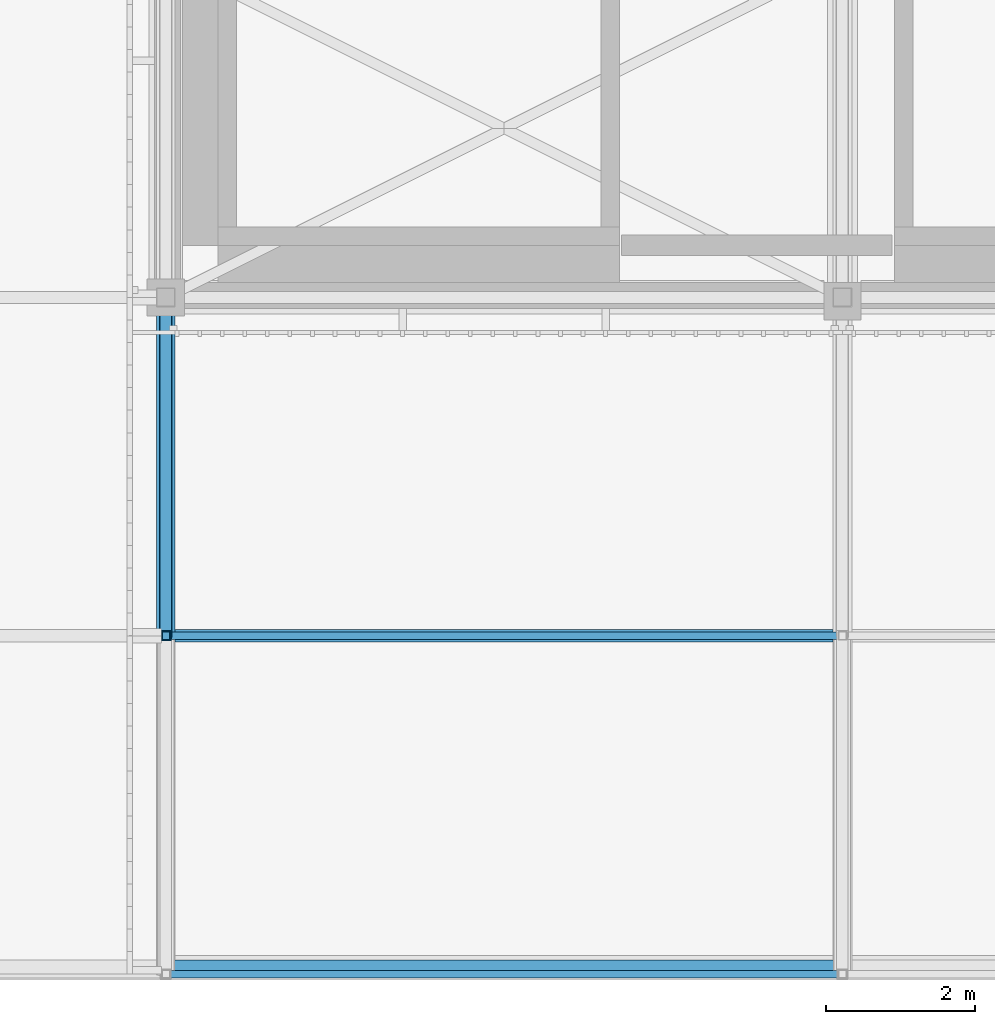
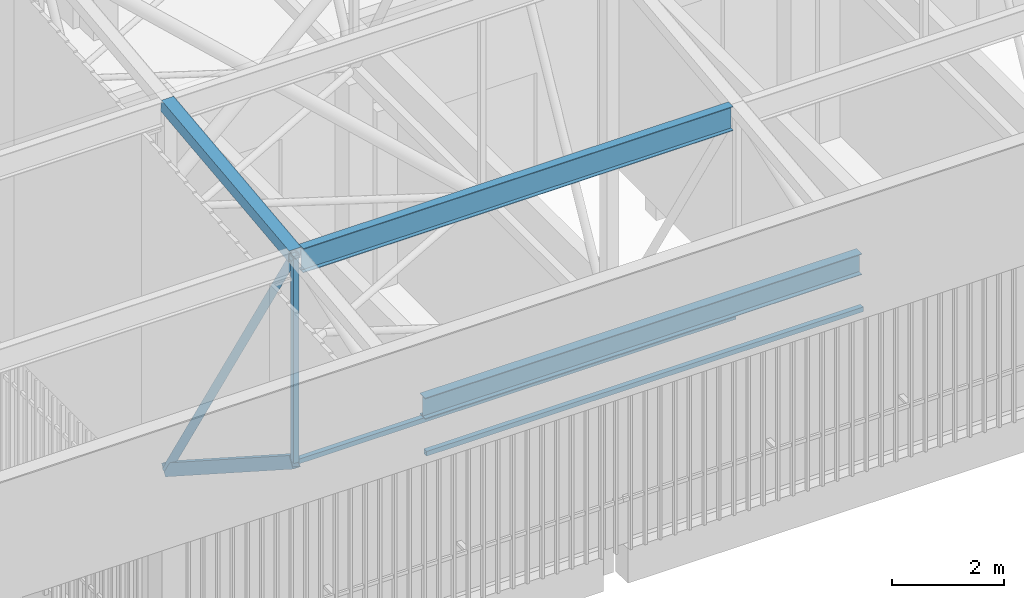
# One storey, part 4 of 500: 8 members.
"""IFC4 building model written with IfcOpenShell, lengths in metres."""

from ifc_helpers import new_model, si_unit, direction, frame, origin, origin_2d, place, context, subcontext, project, spatial, hollow_rectangle, hollow_circle, i_section, extrude, material, material_profile, profile_set, type_object, element, save


model = new_model("IFC4")

# Units and contexts
model_context = context("Model", 3, precision=1e-05, world=origin(), true_north=direction((0.0, 1.0)))
body_context = subcontext(model_context, "Body", "Model", "MODEL_VIEW")
ifc_project = project(units=[si_unit("LENGTHUNIT", "METRE"), si_unit("AREAUNIT", "SQUARE_METRE"), si_unit("VOLUMEUNIT", "CUBIC_METRE"), si_unit("PLANEANGLEUNIT", "RADIAN"), si_unit("MASSUNIT", "GRAM", prefix="KILO")], contexts=[model_context])

# Site, building, storey
site_placement = place(None, origin())
site = spatial("IfcSite", under=ifc_project, at=site_placement, CompositionType="ELEMENT")
building_placement = place(site_placement, origin())
building = spatial("IfcBuilding", under=site, at=building_placement, Name="Shirokan Park Arena", CompositionType="ELEMENT")
storey_placement = place(building_placement, frame((0.0, 0.0, 29.1201171875)))
storey = spatial("IfcBuildingStorey", under=building, at=storey_placement, Name="L06", CompositionType="ELEMENT", Elevation=29.1201171875)

# Members
ifc_material_1 = material(Name="Steel ASTM A500 Grade C", Category="steel")
ifc_material_profile_1 = material_profile(ifc_material_1, hollow_rectangle(XDim=0.152099609375, YDim=0.25390625, WallThickness=0.009521484375, at=origin_2d()), Name="HSS254X152.4X9.5")
ifc_profile_set_1 = profile_set([ifc_material_profile_1], Name="Steel ASTM A500 Grade C")
member_type_1 = type_object("IfcMemberType", Name="Bottom chord HSS254X152.4X9.5", PredefinedType="CHORD", material=ifc_profile_set_1)
member_1_placement = place(storey_placement, frame((0.0, -4.550048828125, 7.6044921875), z_axis=(0.0, 0.840971691661, -0.541079119746), x_axis=(-1.0, 0.0, 0.0)))
element("IfcMember", 1, at=member_1_placement, inside=storey, type_object=member_type_1, Name="Truss T01 bottom chord 2", PredefinedType="CHORD", context=body_context, shape_type="SweptSolid", body=[
    extrude(hollow_rectangle(XDim=0.152099609375, YDim=0.25390625, WallThickness=0.009521484375, at=origin_2d()), origin(), (0.0, 0.0, 1.0), 5.410400390625),
])
ifc_material_profile_2 = material_profile(ifc_material_1, hollow_rectangle(XDim=0.10205078125, YDim=0.10205078125, WallThickness=0.00634765625, at=origin_2d()), Name="HSS101.6X101.6X6.4")
ifc_profile_set_2 = profile_set([ifc_material_profile_2], Name="Steel ASTM A500 Grade C")
member_type_2 = type_object("IfcMemberType", Name="Eave soffit rail HSS101.6X101.6X6.4", PredefinedType="USERDEFINED", material=ifc_profile_set_2)
for number, where, z_axis, x_axis, name in (
    (2, (0.056884765625, -9.10009765625, 10.531982421875), (1.0, 0.0, 0.0), (0.0, 1.0, 0.0), "Eave soffit rail S 1 bay 1"),
    (3, (0.056884765625, -4.550048828125, 7.6044921875), (1.0, 0.0, 0.0), (0.0, 1.0, 0.0), "Eave soffit rail S 2 bay 1"),
):
    element("IfcMember", number, at=place(storey_placement, frame(where, z_axis=z_axis, x_axis=x_axis)), inside=storey, type_object=member_type_2, Name=name, ObjectType="EAVE SOFFIT RAIL", PredefinedType="USERDEFINED", context=body_context, shape_type="SweptSolid", body=[
        extrude(hollow_rectangle(XDim=0.10205078125, YDim=0.10205078125, WallThickness=0.00634765625, at=origin_2d()), origin(), (0.0, 0.0, 1.0), 8.986083984375),
    ])
ifc_material_2 = material(Name="Steel ASTM A992", Category="steel")
ifc_material_profile_3 = material_profile(ifc_material_2, i_section(OverallWidth=0.166015625, OverallDepth=0.528076171875, WebThickness=0.009765625, FlangeThickness=0.013671875, at=origin_2d()), Name="W530X74")
ifc_profile_set_3 = profile_set([ifc_material_profile_3], Name="Steel ASTM A992")
member_type_3 = type_object("IfcMemberType", Name="Purlin W530X74", PredefinedType="PURLIN", material=ifc_profile_set_3)
member_2_placement = place(storey_placement, frame((0.126953125, -4.550048828125, 11.9658203125), z_axis=(1.0, 0.0, 0.0), x_axis=(0.0, 1.0, 0.0)))
element("IfcMember", 4, at=member_2_placement, inside=storey, type_object=member_type_3, Name="Purlin 2 bay 1", PredefinedType="PURLIN", context=body_context, shape_type="SweptSolid", body=[
    extrude(i_section(OverallWidth=0.166015625, OverallDepth=0.528076171875, WebThickness=0.009765625, FlangeThickness=0.013671875, at=origin_2d()), origin(), (0.0, 0.0, 1.0), 8.845947265625),
])
ifc_material_profile_4 = material_profile(ifc_material_2, i_section(OverallWidth=0.19091796875, OverallDepth=0.45703125, WebThickness=0.009033203125, FlangeThickness=0.014404296875, at=origin_2d()), Name="W460X74")
ifc_profile_set_4 = profile_set([ifc_material_profile_4], Name="Steel ASTM A992")
member_type_4 = type_object("IfcMemberType", Name="Roof edge beam W460X74", PredefinedType="USERDEFINED", material=ifc_profile_set_4)
member_3_placement = place(storey_placement, frame((0.056884765625, -9.00439453125, 11.4814453125), z_axis=(1.0, 0.0, 0.0), x_axis=(0.0, 1.0, 0.0)))
element("IfcMember", 5, at=member_3_placement, inside=storey, type_object=member_type_4, Name="Roof edge beam S 2", ObjectType="ROOF EDGE BEAM", PredefinedType="USERDEFINED", context=body_context, shape_type="SweptSolid", body=[
    extrude(i_section(OverallWidth=0.19091796875, OverallDepth=0.45703125, WebThickness=0.009033203125, FlangeThickness=0.014404296875, at=origin_2d()), origin(), (0.0, 0.0, 1.0), 8.986083984375),
])
ifc_material_profile_5 = material_profile(ifc_material_1, hollow_rectangle(XDim=0.25390625, YDim=0.25390625, WallThickness=0.009521484375, at=origin_2d()), Name="HSS254X254X9.5")
ifc_profile_set_5 = profile_set([ifc_material_profile_5], Name="Steel ASTM A500 Grade C")
member_type_5 = type_object("IfcMemberType", Name="Top chord HSS254X254X9.5", PredefinedType="CHORD", material=ifc_profile_set_5)
member_4_placement = place(storey_placement, frame((0.0, -4.550048828125, 12.102783203125), z_axis=(0.0, 0.993532328996, 0.113549598152), x_axis=(-1.0, 0.0, 0.0)))
element("IfcMember", 6, at=member_4_placement, inside=storey, type_object=member_type_5, Name="Truss T01 top chord 2", PredefinedType="CHORD", context=body_context, shape_type="SweptSolid", body=[
    extrude(hollow_rectangle(XDim=0.25390625, YDim=0.25390625, WallThickness=0.009521484375, at=origin_2d()), origin(), (0.0, 0.0, 1.0), 4.57958984375),
])
ifc_material_profile_6 = material_profile(ifc_material_1, hollow_circle(Radius=0.083984375, WallThickness=0.009521484375, at=origin_2d()), Name="HSS168.3X9.5")
ifc_profile_set_6 = profile_set([ifc_material_profile_6], Name="Steel ASTM A500 Grade C")
member_type_6 = type_object("IfcMemberType", Name="Truss diagonal HSS168.3X9.5", PredefinedType="BRACE", material=ifc_profile_set_6)
member_5_placement = place(storey_placement, frame((0.0, -4.550048828125, 12.102783203125), z_axis=(0.0, 0.522458847856, -0.852664501605), x_axis=(-1.0, 0.0, 0.0)))
element("IfcMember", 7, at=member_5_placement, inside=storey, type_object=member_type_6, Name="Truss T01 diagonal 2", PredefinedType="BRACE", context=body_context, shape_type="SweptSolid", body=[
    extrude(hollow_circle(Radius=0.083984375, WallThickness=0.009521484375, at=origin_2d()), origin(), (0.0, 0.0, 1.0), 8.708984375),
])
ifc_material_profile_7 = material_profile(ifc_material_1, hollow_rectangle(XDim=0.114013671875, YDim=0.114013671875, WallThickness=0.00634765625, at=origin_2d()), Name="HSS114.3X114.3X6.4")
ifc_profile_set_7 = profile_set([ifc_material_profile_7], Name="Steel ASTM A500 Grade C")
member_type_7 = type_object("IfcMemberType", Name="Truss post HSS114.3X114.3X6.4", PredefinedType="POST", material=ifc_profile_set_7)
member_6_placement = place(storey_placement, frame((0.0, -4.550048828125, 7.6044921875), z_axis=(0.0, 0.0, 1.0), x_axis=(1.0, 0.0, 0.0)))
element("IfcMember", 8, at=member_6_placement, inside=storey, type_object=member_type_7, Name="Truss T01 post 2", PredefinedType="POST", context=body_context, shape_type="SweptSolid", body=[
    extrude(hollow_rectangle(XDim=0.114013671875, YDim=0.114013671875, WallThickness=0.00634765625, at=origin_2d()), origin(), (0.0, 0.0, 1.0), 4.498291015625),
])

save(model, "model.ifc")
